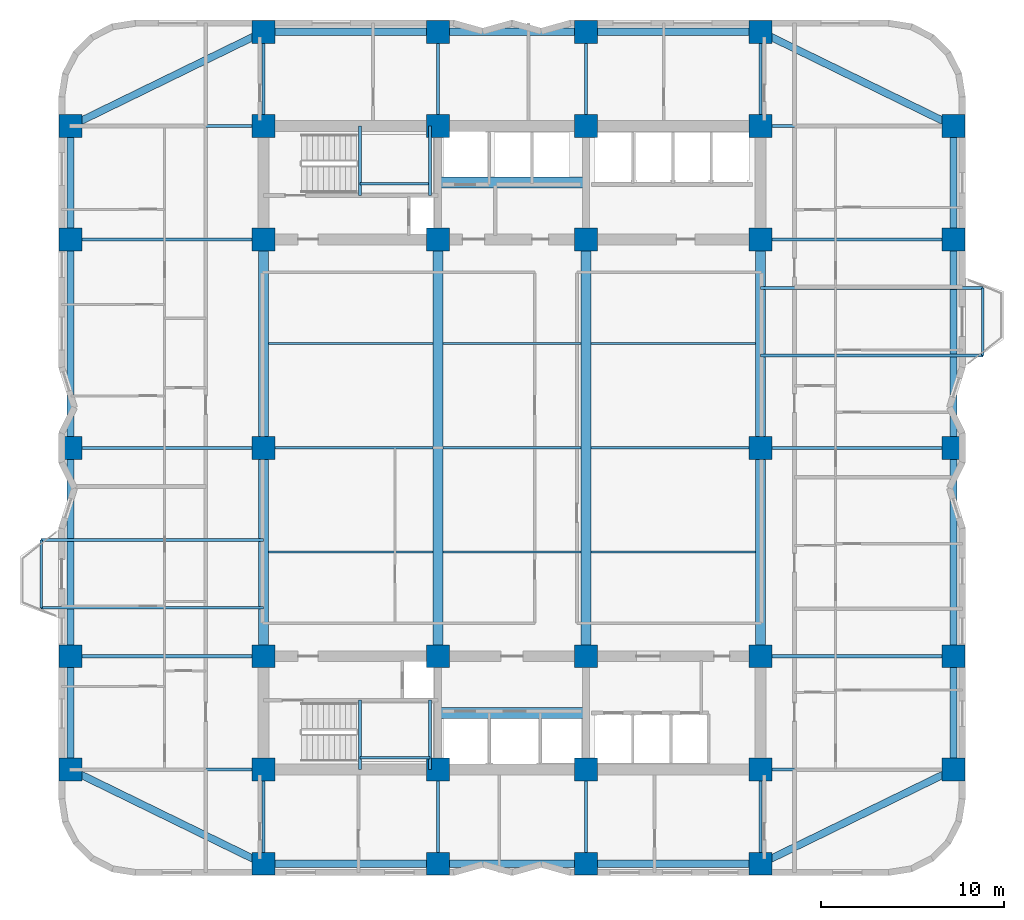
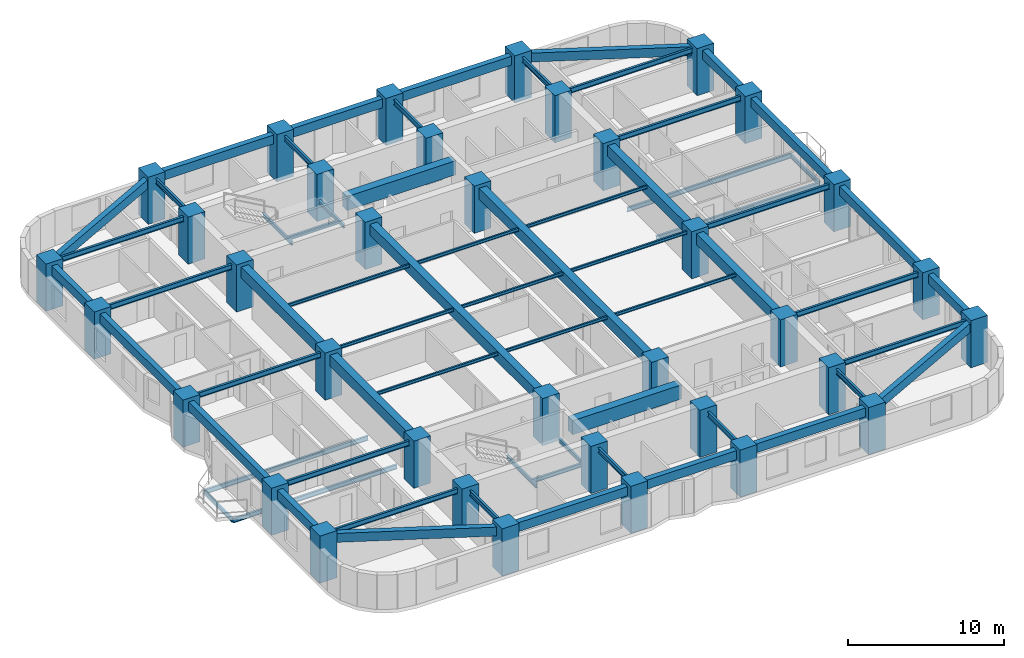
# One storey, part 1 of 9: 65 beams, 36 columns.
"""IFC4 building model written with IfcOpenShell, lengths in metres."""

from ifc_helpers import new_model, si_unit, direction, frame, origin, origin_2d, place, context, subcontext, project, spatial, rectangle, i_section, extrude, material, material_profile, profile_set, type_object, element, save


model = new_model("IFC4")

# Units and contexts
model_context = context("Model", 3, precision=1e-05, world=origin(), true_north=direction((0.0, 1.0)))
body_context = subcontext(model_context, "Body", "Model", "MODEL_VIEW")
ifc_project = project(units=[si_unit("LENGTHUNIT", "METRE"), si_unit("AREAUNIT", "SQUARE_METRE"), si_unit("VOLUMEUNIT", "CUBIC_METRE"), si_unit("PLANEANGLEUNIT", "RADIAN"), si_unit("MASSUNIT", "GRAM", prefix="KILO")], contexts=[model_context])

# Site, building, storey
site_placement = place(None, origin())
site = spatial("IfcSite", under=ifc_project, at=site_placement, CompositionType="ELEMENT")
building_placement = place(site_placement, origin())
building = spatial("IfcBuilding", under=site, at=building_placement, Name="Svetorya Sky Lyceum", CompositionType="ELEMENT")
storey_placement = place(building_placement, frame((0.0, 0.0, 65.800048828125)))
storey = spatial("IfcBuildingStorey", under=building, at=storey_placement, Name="L16", CompositionType="ELEMENT", Elevation=65.800048828125)

# Columns
ifc_material_1 = material(Name="Concrete C60/75", Category="concrete")
ifc_material_profile_1 = material_profile(ifc_material_1, rectangle(XDim=1.25, YDim=1.25, at=origin_2d()), Name="RC COL 1250x1250")
ifc_profile_set_1 = profile_set([ifc_material_profile_1], Name="Concrete C60/75")
column_type = type_object("IfcColumnType", Name="COL-RC-1250", PredefinedType="COLUMN", material=ifc_profile_set_1)
for number, where, z_axis, x_axis, name in (
    (1, (25.60009765625, 10.60009765625, 0.0), (0.0, 0.0, 1.0), (1.0, 0.0, 0.0), "L16 Core Column CS-11"),
    (2, (25.60009765625, 16.800048828125, 0.0), (0.0, 0.0, 1.0), (1.0, 0.0, 0.0), "L16 Core Column CS-12"),
    (3, (35.14990234375, 10.60009765625, 0.0), (0.0, 0.0, 1.0), (1.0, 0.0, 0.0), "L16 Core Column CS-21"),
    (4, (35.14990234375, 16.800048828125, 0.0), (0.0, 0.0, 1.0), (1.0, 0.0, 0.0), "L16 Core Column CS-22"),
    (5, (43.25, 10.60009765625, 0.0), (0.0, 0.0, 1.0), (1.0, 0.0, 0.0), "L16 Core Column CS-31"),
    (6, (43.25, 16.800048828125, 0.0), (0.0, 0.0, 1.0), (1.0, 0.0, 0.0), "L16 Core Column CS-32"),
    (7, (52.800048828125, 10.60009765625, 0.0), (0.0, 0.0, 1.0), (1.0, 0.0, 0.0), "L16 Core Column CS-41"),
    (8, (52.800048828125, 16.800048828125, 0.0), (0.0, 0.0, 1.0), (1.0, 0.0, 0.0), "L16 Core Column CS-42"),
    (9, (25.60009765625, 39.60009765625, 0.0), (0.0, 0.0, 1.0), (1.0, 0.0, 0.0), "L16 Core Column CN-11"),
    (10, (25.60009765625, 45.800048828125, 0.0), (0.0, 0.0, 1.0), (1.0, 0.0, 0.0), "L16 Core Column CN-12"),
    (11, (35.14990234375, 39.60009765625, 0.0), (0.0, 0.0, 1.0), (1.0, 0.0, 0.0), "L16 Core Column CN-21"),
    (12, (35.14990234375, 45.800048828125, 0.0), (0.0, 0.0, 1.0), (1.0, 0.0, 0.0), "L16 Core Column CN-22"),
    (13, (43.25, 39.60009765625, 0.0), (0.0, 0.0, 1.0), (1.0, 0.0, 0.0), "L16 Core Column CN-31"),
    (14, (43.25, 45.800048828125, 0.0), (0.0, 0.0, 1.0), (1.0, 0.0, 0.0), "L16 Core Column CN-32"),
    (15, (52.800048828125, 39.60009765625, 0.0), (0.0, 0.0, 1.0), (1.0, 0.0, 0.0), "L16 Core Column CN-41"),
    (16, (52.800048828125, 45.800048828125, 0.0), (0.0, 0.0, 1.0), (1.0, 0.0, 0.0), "L16 Core Column CN-42"),
    (17, (25.60009765625, 28.199951171875, 0.0), (0.0, 0.0, 1.0), (1.0, 0.0, 0.0), "L16 Core Column CM-W"),
    (18, (52.800048828125, 28.199951171875, 0.0), (0.0, 0.0, 1.0), (1.0, 0.0, 0.0), "L16 Core Column CM-E"),
    (19, (25.60009765625, 5.449951171875, 0.0), (0.0, 0.0, 1.0), (1.0, 0.0, 0.0), "L16 Perimeter Column S1"),
    (20, (25.60009765625, 50.949951171875, 0.0), (0.0, 0.0, 1.0), (1.0, 0.0, 0.0), "L16 Perimeter Column N1"),
    (21, (35.14990234375, 5.449951171875, 0.0), (0.0, 0.0, 1.0), (1.0, 0.0, 0.0), "L16 Perimeter Column S2"),
    (22, (35.14990234375, 50.949951171875, 0.0), (0.0, 0.0, 1.0), (1.0, 0.0, 0.0), "L16 Perimeter Column N2"),
    (23, (43.25, 5.449951171875, 0.0), (0.0, 0.0, 1.0), (1.0, 0.0, 0.0), "L16 Perimeter Column S3"),
    (24, (43.25, 50.949951171875, 0.0), (0.0, 0.0, 1.0), (1.0, 0.0, 0.0), "L16 Perimeter Column N3"),
    (25, (52.800048828125, 5.449951171875, 0.0), (0.0, 0.0, 1.0), (1.0, 0.0, 0.0), "L16 Perimeter Column S4"),
    (26, (52.800048828125, 50.949951171875, 0.0), (0.0, 0.0, 1.0), (1.0, 0.0, 0.0), "L16 Perimeter Column N4"),
    (27, (15.050048828125, 10.60009765625, 0.0), (0.0, 0.0, 1.0), (1.0, 0.0, 0.0), "L16 Perimeter Column W1"),
    (28, (63.35009765625, 10.60009765625, 0.0), (0.0, 0.0, 1.0), (1.0, 0.0, 0.0), "L16 Perimeter Column E1"),
    (29, (15.050048828125, 16.800048828125, 0.0), (0.0, 0.0, 1.0), (1.0, 0.0, 0.0), "L16 Perimeter Column W2"),
    (30, (63.35009765625, 16.800048828125, 0.0), (0.0, 0.0, 1.0), (1.0, 0.0, 0.0), "L16 Perimeter Column E2"),
    (31, (15.050048828125, 28.199951171875, 0.0), (0.0, 0.0, 1.0), (1.0, 0.0, 0.0), "L16 Perimeter Column W3"),
    (32, (63.35009765625, 28.199951171875, 0.0), (0.0, 0.0, 1.0), (1.0, 0.0, 0.0), "L16 Perimeter Column E3"),
    (33, (15.050048828125, 39.60009765625, 0.0), (0.0, 0.0, 1.0), (1.0, 0.0, 0.0), "L16 Perimeter Column W4"),
    (34, (63.35009765625, 39.60009765625, 0.0), (0.0, 0.0, 1.0), (1.0, 0.0, 0.0), "L16 Perimeter Column E4"),
    (35, (15.050048828125, 45.800048828125, 0.0), (0.0, 0.0, 1.0), (1.0, 0.0, 0.0), "L16 Perimeter Column W5"),
    (36, (63.35009765625, 45.800048828125, 0.0), (0.0, 0.0, 1.0), (1.0, 0.0, 0.0), "L16 Perimeter Column E5"),
):
    element("IfcColumn", number, at=place(storey_placement, frame(where, z_axis=z_axis, x_axis=x_axis)), inside=storey, type_object=column_type, Name=name, PredefinedType="COLUMN", context=body_context, shape_type="SweptSolid", body=[
        extrude(rectangle(XDim=1.25, YDim=1.25, at=origin_2d()), origin(), (0.0, 0.0, 1.0), 3.699951171875),
    ])

# Beams
ifc_material_profile_2 = material_profile(ifc_material_1, rectangle(XDim=0.60009765625, YDim=1.10009765625, at=origin_2d()), Name="RC COUPLING 600x1100")
ifc_profile_set_2 = profile_set([ifc_material_profile_2], Name="Concrete C60/75")
beam_type_1 = type_object("IfcBeamType", Name="BM-CPL-1100", PredefinedType="LINTEL", material=ifc_profile_set_2)
for number, where, z_axis, x_axis, name in (
    (37, (35.14990234375, 13.699951171875, 2.869873046875), (1.0, 0.0, 0.0), (0.0, 1.0, 0.0), "L16 SC Core Coupling Beam"),
    (38, (35.14990234375, 42.699951171875, 2.869873046875), (1.0, 0.0, 0.0), (0.0, 1.0, 0.0), "L16 NC Core Coupling Beam"),
):
    element("IfcBeam", number, at=place(storey_placement, frame(where, z_axis=z_axis, x_axis=x_axis)), inside=storey, type_object=beam_type_1, Name=name, PredefinedType="LINTEL", context=body_context, shape_type="SweptSolid", body=[
        extrude(rectangle(XDim=0.60009765625, YDim=1.10009765625, at=origin_2d()), origin(), (0.0, 0.0, 1.0), 8.10009765625),
    ])
ifc_material_2 = material(Name="Concrete C50/60", Category="concrete")
ifc_material_profile_3 = material_profile(ifc_material_2, rectangle(XDim=0.550048828125, YDim=0.85009765625, at=origin_2d()), Name="RC BEAM 550x850")
ifc_profile_set_3 = profile_set([ifc_material_profile_3], Name="Concrete C50/60")
beam_type_2 = type_object("IfcBeamType", Name="BM-RC-850", PredefinedType="BEAM", material=ifc_profile_set_3)
beam_1_placement = place(storey_placement, frame((25.60009765625, 16.800048828125, 2.994873046875), z_axis=(0.0, 1.0, 0.0), x_axis=(-1.0, 0.0, 0.0)))
element("IfcBeam", 39, at=beam_1_placement, inside=storey, type_object=beam_type_2, Name="L16 Central Bay Primary Girder CG-1A", PredefinedType="BEAM", context=body_context, shape_type="SweptSolid", body=[
    extrude(rectangle(XDim=0.550048828125, YDim=0.85009765625, at=origin_2d()), origin(), (0.0, 0.0, 1.0), 11.39990234375),
])
beam_2_placement = place(storey_placement, frame((25.60009765625, 28.199951171875, 2.994873046875), z_axis=(0.0, 1.0, 0.0), x_axis=(-1.0, 0.0, 0.0)))
element("IfcBeam", 40, at=beam_2_placement, inside=storey, type_object=beam_type_2, Name="L16 Central Bay Primary Girder CG-1B", PredefinedType="BEAM", context=body_context, shape_type="SweptSolid", body=[
    extrude(rectangle(XDim=0.550048828125, YDim=0.85009765625, at=origin_2d()), origin(), (0.0, 0.0, 1.0), 11.400146484375),
])
for number, where, z_axis, x_axis, name in (
    (41, (35.14990234375, 16.800048828125, 2.994873046875), (0.0, 1.0, 0.0), (-1.0, 0.0, 0.0), "L16 Central Bay Primary Girder CG-2"),
    (42, (43.25, 16.800048828125, 2.994873046875), (0.0, 1.0, 0.0), (-1.0, 0.0, 0.0), "L16 Central Bay Primary Girder CG-3"),
):
    element("IfcBeam", number, at=place(storey_placement, frame(where, z_axis=z_axis, x_axis=x_axis)), inside=storey, type_object=beam_type_2, Name=name, PredefinedType="BEAM", context=body_context, shape_type="SweptSolid", body=[
        extrude(rectangle(XDim=0.550048828125, YDim=0.85009765625, at=origin_2d()), origin(), (0.0, 0.0, 1.0), 22.800048828125),
    ])
beam_3_placement = place(storey_placement, frame((52.800048828125, 16.800048828125, 2.994873046875), z_axis=(0.0, 1.0, 0.0), x_axis=(-1.0, 0.0, 0.0)))
element("IfcBeam", 43, at=beam_3_placement, inside=storey, type_object=beam_type_2, Name="L16 Central Bay Primary Girder CG-4A", PredefinedType="BEAM", context=body_context, shape_type="SweptSolid", body=[
    extrude(rectangle(XDim=0.550048828125, YDim=0.85009765625, at=origin_2d()), origin(), (0.0, 0.0, 1.0), 11.39990234375),
])
beam_4_placement = place(storey_placement, frame((52.800048828125, 28.199951171875, 2.994873046875), z_axis=(0.0, 1.0, 0.0), x_axis=(-1.0, 0.0, 0.0)))
element("IfcBeam", 44, at=beam_4_placement, inside=storey, type_object=beam_type_2, Name="L16 Central Bay Primary Girder CG-4B", PredefinedType="BEAM", context=body_context, shape_type="SweptSolid", body=[
    extrude(rectangle(XDim=0.550048828125, YDim=0.85009765625, at=origin_2d()), origin(), (0.0, 0.0, 1.0), 11.400146484375),
])
ifc_material_profile_4 = material_profile(ifc_material_2, rectangle(XDim=0.39990234375, YDim=0.699951171875, at=origin_2d()), Name="RC SPANDREL 400x700")
ifc_profile_set_4 = profile_set([ifc_material_profile_4], Name="Concrete C50/60")
beam_type_3 = type_object("IfcBeamType", Name="BM-SPN-700", PredefinedType="SPANDREL", material=ifc_profile_set_4)
beam_5_placement = place(storey_placement, frame((25.60009765625, 5.449951171875, 3.070068359375), z_axis=(1.0, 0.0, 0.0), x_axis=(0.0, 1.0, 0.0)))
element("IfcBeam", 45, at=beam_5_placement, inside=storey, type_object=beam_type_3, Name="L16 South Spandrel 1", PredefinedType="SPANDREL", context=body_context, shape_type="SweptSolid", body=[
    extrude(rectangle(XDim=0.39990234375, YDim=0.699951171875, at=origin_2d()), origin(), (0.0, 0.0, 1.0), 9.5498046875),
])
beam_6_placement = place(storey_placement, frame((35.14990234375, 5.449951171875, 3.070068359375), z_axis=(1.0, 0.0, 0.0), x_axis=(0.0, 1.0, 0.0)))
element("IfcBeam", 46, at=beam_6_placement, inside=storey, type_object=beam_type_3, Name="L16 South Spandrel 2", PredefinedType="SPANDREL", context=body_context, shape_type="SweptSolid", body=[
    extrude(rectangle(XDim=0.39990234375, YDim=0.699951171875, at=origin_2d()), origin(), (0.0, 0.0, 1.0), 8.10009765625),
])
beam_7_placement = place(storey_placement, frame((43.25, 5.449951171875, 3.070068359375), z_axis=(1.0, 0.0, 0.0), x_axis=(0.0, 1.0, 0.0)))
element("IfcBeam", 47, at=beam_7_placement, inside=storey, type_object=beam_type_3, Name="L16 South Spandrel 3", PredefinedType="SPANDREL", context=body_context, shape_type="SweptSolid", body=[
    extrude(rectangle(XDim=0.39990234375, YDim=0.699951171875, at=origin_2d()), origin(), (0.0, 0.0, 1.0), 9.550048828125),
])
beam_8_placement = place(storey_placement, frame((25.60009765625, 50.949951171875, 3.070068359375), z_axis=(1.0, 0.0, 0.0), x_axis=(0.0, 1.0, 0.0)))
element("IfcBeam", 48, at=beam_8_placement, inside=storey, type_object=beam_type_3, Name="L16 North Spandrel 1", PredefinedType="SPANDREL", context=body_context, shape_type="SweptSolid", body=[
    extrude(rectangle(XDim=0.39990234375, YDim=0.699951171875, at=origin_2d()), origin(), (0.0, 0.0, 1.0), 9.5498046875),
])
beam_9_placement = place(storey_placement, frame((35.14990234375, 50.949951171875, 3.070068359375), z_axis=(1.0, 0.0, 0.0), x_axis=(0.0, 1.0, 0.0)))
element("IfcBeam", 49, at=beam_9_placement, inside=storey, type_object=beam_type_3, Name="L16 North Spandrel 2", PredefinedType="SPANDREL", context=body_context, shape_type="SweptSolid", body=[
    extrude(rectangle(XDim=0.39990234375, YDim=0.699951171875, at=origin_2d()), origin(), (0.0, 0.0, 1.0), 8.10009765625),
])
beam_10_placement = place(storey_placement, frame((43.25, 50.949951171875, 3.070068359375), z_axis=(1.0, 0.0, 0.0), x_axis=(0.0, 1.0, 0.0)))
element("IfcBeam", 50, at=beam_10_placement, inside=storey, type_object=beam_type_3, Name="L16 North Spandrel 3", PredefinedType="SPANDREL", context=body_context, shape_type="SweptSolid", body=[
    extrude(rectangle(XDim=0.39990234375, YDim=0.699951171875, at=origin_2d()), origin(), (0.0, 0.0, 1.0), 9.550048828125),
])
for number, where, z_axis, x_axis, name in (
    (51, (25.60009765625, 5.449951171875, 3.070068359375), (-0.898641495694, 0.438683783854, 0.0), (-0.438683783854, -0.898641495694, 0.0), "L16 Corner Spandrel 1"),
    (52, (52.800048828125, 5.449951171875, 3.070068359375), (0.898641495694, 0.438683783854, 0.0), (-0.438683783854, 0.898641495694, 0.0), "L16 Corner Spandrel 2"),
    (53, (63.35009765625, 45.800048828125, 3.070068359375), (-0.898649693653, 0.438666989978, 0.0), (-0.438666989978, -0.898649693653, 0.0), "L16 Corner Spandrel 3"),
    (54, (15.050048828125, 45.800048828125, 3.070068359375), (0.898649693653, 0.438666989978, 0.0), (-0.438666989978, 0.898649693653, 0.0), "L16 Corner Spandrel 4"),
):
    element("IfcBeam", number, at=place(storey_placement, frame(where, z_axis=z_axis, x_axis=x_axis)), inside=storey, type_object=beam_type_3, Name=name, PredefinedType="SPANDREL", context=body_context, shape_type="SweptSolid", body=[
        extrude(rectangle(XDim=0.39990234375, YDim=0.699951171875, at=origin_2d()), origin(), (0.0, 0.0, 1.0), 11.739990234375),
    ])
beam_11_placement = place(storey_placement, frame((15.050048828125, 10.60009765625, 3.070068359375), z_axis=(0.0, 1.0, 0.0), x_axis=(-1.0, 0.0, 0.0)))
element("IfcBeam", 55, at=beam_11_placement, inside=storey, type_object=beam_type_3, Name="L16 West Spandrel 1", PredefinedType="SPANDREL", context=body_context, shape_type="SweptSolid", body=[
    extrude(rectangle(XDim=0.39990234375, YDim=0.699951171875, at=origin_2d()), origin(), (0.0, 0.0, 1.0), 6.199951171875),
])
beam_12_placement = place(storey_placement, frame((15.050048828125, 16.800048828125, 3.070068359375), z_axis=(0.0, 1.0, 0.0), x_axis=(-1.0, 0.0, 0.0)))
element("IfcBeam", 56, at=beam_12_placement, inside=storey, type_object=beam_type_3, Name="L16 West Spandrel 2", PredefinedType="SPANDREL", context=body_context, shape_type="SweptSolid", body=[
    extrude(rectangle(XDim=0.39990234375, YDim=0.699951171875, at=origin_2d()), origin(), (0.0, 0.0, 1.0), 11.39990234375),
])
beam_13_placement = place(storey_placement, frame((15.050048828125, 28.199951171875, 3.070068359375), z_axis=(0.0, 1.0, 0.0), x_axis=(-1.0, 0.0, 0.0)))
element("IfcBeam", 57, at=beam_13_placement, inside=storey, type_object=beam_type_3, Name="L16 West Spandrel 3", PredefinedType="SPANDREL", context=body_context, shape_type="SweptSolid", body=[
    extrude(rectangle(XDim=0.39990234375, YDim=0.699951171875, at=origin_2d()), origin(), (0.0, 0.0, 1.0), 11.400146484375),
])
for number, where, z_axis, x_axis, name in (
    (58, (15.050048828125, 39.60009765625, 3.070068359375), (0.0, 1.0, 0.0), (-1.0, 0.0, 0.0), "L16 West Spandrel 4"),
    (59, (63.35009765625, 10.60009765625, 3.070068359375), (0.0, 1.0, 0.0), (-1.0, 0.0, 0.0), "L16 East Spandrel 1"),
):
    element("IfcBeam", number, at=place(storey_placement, frame(where, z_axis=z_axis, x_axis=x_axis)), inside=storey, type_object=beam_type_3, Name=name, PredefinedType="SPANDREL", context=body_context, shape_type="SweptSolid", body=[
        extrude(rectangle(XDim=0.39990234375, YDim=0.699951171875, at=origin_2d()), origin(), (0.0, 0.0, 1.0), 6.199951171875),
    ])
beam_14_placement = place(storey_placement, frame((63.35009765625, 16.800048828125, 3.070068359375), z_axis=(0.0, 1.0, 0.0), x_axis=(-1.0, 0.0, 0.0)))
element("IfcBeam", 60, at=beam_14_placement, inside=storey, type_object=beam_type_3, Name="L16 East Spandrel 2", PredefinedType="SPANDREL", context=body_context, shape_type="SweptSolid", body=[
    extrude(rectangle(XDim=0.39990234375, YDim=0.699951171875, at=origin_2d()), origin(), (0.0, 0.0, 1.0), 11.39990234375),
])
beam_15_placement = place(storey_placement, frame((63.35009765625, 28.199951171875, 3.070068359375), z_axis=(0.0, 1.0, 0.0), x_axis=(-1.0, 0.0, 0.0)))
element("IfcBeam", 61, at=beam_15_placement, inside=storey, type_object=beam_type_3, Name="L16 East Spandrel 3", PredefinedType="SPANDREL", context=body_context, shape_type="SweptSolid", body=[
    extrude(rectangle(XDim=0.39990234375, YDim=0.699951171875, at=origin_2d()), origin(), (0.0, 0.0, 1.0), 11.400146484375),
])
beam_16_placement = place(storey_placement, frame((63.35009765625, 39.60009765625, 3.070068359375), z_axis=(0.0, 1.0, 0.0), x_axis=(-1.0, 0.0, 0.0)))
element("IfcBeam", 62, at=beam_16_placement, inside=storey, type_object=beam_type_3, Name="L16 East Spandrel 4", PredefinedType="SPANDREL", context=body_context, shape_type="SweptSolid", body=[
    extrude(rectangle(XDim=0.39990234375, YDim=0.699951171875, at=origin_2d()), origin(), (0.0, 0.0, 1.0), 6.199951171875),
])
ifc_material_3 = material(Name="Steel S355", Category="steel")
ifc_material_profile_5 = material_profile(ifc_material_3, i_section(OverallWidth=0.1240234375, OverallDepth=0.248046875, WebThickness=0.006103515625, FlangeThickness=0.009521484375, at=origin_2d()), Name="GOST 25B2")
ifc_profile_set_5 = profile_set([ifc_material_profile_5], Name="Steel S355")
beam_type_4 = type_object("IfcBeamType", Name="BM-STL-25B2", PredefinedType="JOIST", material=ifc_profile_set_5)
beam_17_placement = place(storey_placement, frame((25.875, 22.5, 3.2958984375), z_axis=(1.0, 0.0, 0.0), x_axis=(0.0, 1.0, 0.0)))
element("IfcBeam", 63, at=beam_17_placement, inside=storey, type_object=beam_type_4, Name="L16 Central Floor Joist CJ-1.1", PredefinedType="JOIST", context=body_context, shape_type="SweptSolid", body=[
    extrude(i_section(OverallWidth=0.1240234375, OverallDepth=0.248046875, WebThickness=0.006103515625, FlangeThickness=0.009521484375, at=origin_2d()), origin(), (0.0, 0.0, 1.0), 9.0),
])
beam_18_placement = place(storey_placement, frame((35.425048828125, 22.5, 3.2958984375), z_axis=(1.0, 0.0, 0.0), x_axis=(0.0, 1.0, 0.0)))
element("IfcBeam", 64, at=beam_18_placement, inside=storey, type_object=beam_type_4, Name="L16 Central Floor Joist CJ-1.2", PredefinedType="JOIST", context=body_context, shape_type="SweptSolid", body=[
    extrude(i_section(OverallWidth=0.1240234375, OverallDepth=0.248046875, WebThickness=0.006103515625, FlangeThickness=0.009521484375, at=origin_2d()), origin(), (0.0, 0.0, 1.0), 7.550048828125),
])
for number, where, z_axis, x_axis, name in (
    (65, (43.52490234375, 22.5, 3.2958984375), (1.0, 0.0, 0.0), (0.0, 1.0, 0.0), "L16 Central Floor Joist CJ-1.3"),
    (66, (25.875, 28.199951171875, 3.2958984375), (1.0, 0.0, 0.0), (0.0, 1.0, 0.0), "L16 Central Floor Joist CJ-2.1"),
):
    element("IfcBeam", number, at=place(storey_placement, frame(where, z_axis=z_axis, x_axis=x_axis)), inside=storey, type_object=beam_type_4, Name=name, PredefinedType="JOIST", context=body_context, shape_type="SweptSolid", body=[
        extrude(i_section(OverallWidth=0.1240234375, OverallDepth=0.248046875, WebThickness=0.006103515625, FlangeThickness=0.009521484375, at=origin_2d()), origin(), (0.0, 0.0, 1.0), 9.0),
    ])
beam_19_placement = place(storey_placement, frame((35.425048828125, 28.199951171875, 3.2958984375), z_axis=(1.0, 0.0, 0.0), x_axis=(0.0, 1.0, 0.0)))
element("IfcBeam", 67, at=beam_19_placement, inside=storey, type_object=beam_type_4, Name="L16 Central Floor Joist CJ-2.2", PredefinedType="JOIST", context=body_context, shape_type="SweptSolid", body=[
    extrude(i_section(OverallWidth=0.1240234375, OverallDepth=0.248046875, WebThickness=0.006103515625, FlangeThickness=0.009521484375, at=origin_2d()), origin(), (0.0, 0.0, 1.0), 7.550048828125),
])
for number, where, z_axis, x_axis, name in (
    (68, (43.52490234375, 28.199951171875, 3.2958984375), (1.0, 0.0, 0.0), (0.0, 1.0, 0.0), "L16 Central Floor Joist CJ-2.3"),
    (69, (25.875, 33.89990234375, 3.2958984375), (1.0, 0.0, 0.0), (0.0, 1.0, 0.0), "L16 Central Floor Joist CJ-3.1"),
):
    element("IfcBeam", number, at=place(storey_placement, frame(where, z_axis=z_axis, x_axis=x_axis)), inside=storey, type_object=beam_type_4, Name=name, PredefinedType="JOIST", context=body_context, shape_type="SweptSolid", body=[
        extrude(i_section(OverallWidth=0.1240234375, OverallDepth=0.248046875, WebThickness=0.006103515625, FlangeThickness=0.009521484375, at=origin_2d()), origin(), (0.0, 0.0, 1.0), 9.0),
    ])
beam_20_placement = place(storey_placement, frame((35.425048828125, 33.89990234375, 3.2958984375), z_axis=(1.0, 0.0, 0.0), x_axis=(0.0, 1.0, 0.0)))
element("IfcBeam", 70, at=beam_20_placement, inside=storey, type_object=beam_type_4, Name="L16 Central Floor Joist CJ-3.2", PredefinedType="JOIST", context=body_context, shape_type="SweptSolid", body=[
    extrude(i_section(OverallWidth=0.1240234375, OverallDepth=0.248046875, WebThickness=0.006103515625, FlangeThickness=0.009521484375, at=origin_2d()), origin(), (0.0, 0.0, 1.0), 7.550048828125),
])
beam_21_placement = place(storey_placement, frame((43.52490234375, 33.89990234375, 3.2958984375), z_axis=(1.0, 0.0, 0.0), x_axis=(0.0, 1.0, 0.0)))
element("IfcBeam", 71, at=beam_21_placement, inside=storey, type_object=beam_type_4, Name="L16 Central Floor Joist CJ-3.3", PredefinedType="JOIST", context=body_context, shape_type="SweptSolid", body=[
    extrude(i_section(OverallWidth=0.1240234375, OverallDepth=0.248046875, WebThickness=0.006103515625, FlangeThickness=0.009521484375, at=origin_2d()), origin(), (0.0, 0.0, 1.0), 9.0),
])
ifc_material_profile_6 = material_profile(ifc_material_3, i_section(OverallWidth=0.14990234375, OverallDepth=0.299072265625, WebThickness=0.006591796875, FlangeThickness=0.010498046875, at=origin_2d()), Name="GOST 30B2")
ifc_profile_set_6 = profile_set([ifc_material_profile_6], Name="Steel S355")
beam_type_5 = type_object("IfcBeamType", Name="BM-STL-30B2", PredefinedType="JOIST", material=ifc_profile_set_6)
for number, where, z_axis, x_axis, name in (
    (72, (13.449951171875, 19.449951171875, -0.45458984375), (0.0, 1.0, 0.0), (-1.0, 0.0, 0.0), "L16 Balcony Edge Tie BAL-W1"),
    (73, (64.949951171875, 33.25, -0.45458984375), (0.0, 1.0, 0.0), (-1.0, 0.0, 0.0), "L16 Balcony Edge Tie BAL-E1"),
):
    element("IfcBeam", number, at=place(storey_placement, frame(where, z_axis=z_axis, x_axis=x_axis)), inside=storey, type_object=beam_type_5, Name=name, PredefinedType="JOIST", context=body_context, shape_type="SweptSolid", body=[
        extrude(i_section(OverallWidth=0.14990234375, OverallDepth=0.299072265625, WebThickness=0.006591796875, FlangeThickness=0.010498046875, at=origin_2d()), origin(), (0.0, 0.0, 1.0), 3.699951171875),
    ])
for number, where, z_axis, x_axis, name in (
    (74, (30.8798828125, 10.60009765625, 1.50048828125), (0.0, 1.0, 0.0), (-1.0, 0.0, 0.0), "L16 Stair ST-S Half-Landing Support Beam 18.1"),
    (75, (34.719970703125, 10.60009765625, 1.50048828125), (0.0, 1.0, 0.0), (-1.0, 0.0, 0.0), "L16 Stair ST-S Half-Landing Support Beam 18.2"),
):
    element("IfcBeam", number, at=place(storey_placement, frame(where, z_axis=z_axis, x_axis=x_axis)), inside=storey, type_object=beam_type_5, Name=name, PredefinedType="JOIST", context=body_context, shape_type="SweptSolid", body=[
        extrude(i_section(OverallWidth=0.14990234375, OverallDepth=0.299072265625, WebThickness=0.006591796875, FlangeThickness=0.010498046875, at=origin_2d()), origin(), (0.0, 0.0, 1.0), 3.7998046875),
    ])
beam_22_placement = place(storey_placement, frame((30.8798828125, 11.25, 1.50048828125), z_axis=(1.0, 0.0, 0.0), x_axis=(0.0, 1.0, 0.0)))
element("IfcBeam", 76, at=beam_22_placement, inside=storey, type_object=beam_type_5, Name="L16 Stair ST-S Half-Landing Cross Tie 18", PredefinedType="JOIST", context=body_context, shape_type="SweptSolid", body=[
    extrude(i_section(OverallWidth=0.14990234375, OverallDepth=0.299072265625, WebThickness=0.006591796875, FlangeThickness=0.010498046875, at=origin_2d()), origin(), (0.0, 0.0, 1.0), 3.840087890625),
])
for number, where, z_axis, x_axis, name in (
    (77, (30.8798828125, 42.0, 1.50048828125), (0.0, 1.0, 0.0), (-1.0, 0.0, 0.0), "L16 Stair ST-N Half-Landing Support Beam 18.1"),
    (78, (34.719970703125, 42.0, 1.50048828125), (0.0, 1.0, 0.0), (-1.0, 0.0, 0.0), "L16 Stair ST-N Half-Landing Support Beam 18.2"),
):
    element("IfcBeam", number, at=place(storey_placement, frame(where, z_axis=z_axis, x_axis=x_axis)), inside=storey, type_object=beam_type_5, Name=name, PredefinedType="JOIST", context=body_context, shape_type="SweptSolid", body=[
        extrude(i_section(OverallWidth=0.14990234375, OverallDepth=0.299072265625, WebThickness=0.006591796875, FlangeThickness=0.010498046875, at=origin_2d()), origin(), (0.0, 0.0, 1.0), 3.800048828125),
    ])
beam_23_placement = place(storey_placement, frame((30.8798828125, 42.64990234375, 1.50048828125), z_axis=(1.0, 0.0, 0.0), x_axis=(0.0, 1.0, 0.0)))
element("IfcBeam", 79, at=beam_23_placement, inside=storey, type_object=beam_type_5, Name="L16 Stair ST-N Half-Landing Cross Tie 18", PredefinedType="JOIST", context=body_context, shape_type="SweptSolid", body=[
    extrude(i_section(OverallWidth=0.14990234375, OverallDepth=0.299072265625, WebThickness=0.006591796875, FlangeThickness=0.010498046875, at=origin_2d()), origin(), (0.0, 0.0, 1.0), 3.840087890625),
])
ifc_material_profile_7 = material_profile(ifc_material_3, i_section(OverallWidth=0.155029296875, OverallDepth=0.34912109375, WebThickness=0.007080078125, FlangeThickness=0.011474609375, at=origin_2d()), Name="GOST 35B2")
ifc_profile_set_7 = profile_set([ifc_material_profile_7], Name="Steel S355")
beam_type_6 = type_object("IfcBeamType", Name="BM-STL-35B2", PredefinedType="JOIST", material=ifc_profile_set_7)
for number, where, z_axis, x_axis, name in (
    (80, (25.60009765625, 19.449951171875, -0.45458984375), (-1.0, 0.0, 0.0), (0.0, -1.0, 0.0), "L16 Balcony Cantilever Beam BAL-W1-1"),
    (81, (25.60009765625, 23.14990234375, -0.45458984375), (-1.0, 0.0, 0.0), (0.0, -1.0, 0.0), "L16 Balcony Cantilever Beam BAL-W1-2"),
):
    element("IfcBeam", number, at=place(storey_placement, frame(where, z_axis=z_axis, x_axis=x_axis)), inside=storey, type_object=beam_type_6, Name=name, PredefinedType="JOIST", context=body_context, shape_type="SweptSolid", body=[
        extrude(i_section(OverallWidth=0.155029296875, OverallDepth=0.34912109375, WebThickness=0.007080078125, FlangeThickness=0.011474609375, at=origin_2d()), origin(), (0.0, 0.0, 1.0), 12.150146484375),
    ])
for number, where, z_axis, x_axis, name in (
    (82, (52.800048828125, 33.25, -0.45458984375), (1.0, 0.0, 0.0), (0.0, 1.0, 0.0), "L16 Balcony Cantilever Beam BAL-E1-1"),
    (83, (52.800048828125, 36.949951171875, -0.45458984375), (1.0, 0.0, 0.0), (0.0, 1.0, 0.0), "L16 Balcony Cantilever Beam BAL-E1-2"),
):
    element("IfcBeam", number, at=place(storey_placement, frame(where, z_axis=z_axis, x_axis=x_axis)), inside=storey, type_object=beam_type_6, Name=name, PredefinedType="JOIST", context=body_context, shape_type="SweptSolid", body=[
        extrude(i_section(OverallWidth=0.155029296875, OverallDepth=0.34912109375, WebThickness=0.007080078125, FlangeThickness=0.011474609375, at=origin_2d()), origin(), (0.0, 0.0, 1.0), 12.14990234375),
    ])
ifc_material_profile_8 = material_profile(ifc_material_3, i_section(OverallWidth=0.1650390625, OverallDepth=0.39990234375, WebThickness=0.008056640625, FlangeThickness=0.012939453125, at=origin_2d()), Name="GOST 40B2")
ifc_profile_set_8 = profile_set([ifc_material_profile_8], Name="Steel S355")
beam_type_7 = type_object("IfcBeamType", Name="BM-STL-40B2", PredefinedType="JOIST", material=ifc_profile_set_8)
for number, where, z_axis, x_axis, name in (
    (84, (15.050048828125, 10.60009765625, 3.219970703125), (1.0, 0.0, 0.0), (0.0, 1.0, 0.0), "L16 West Wing Floor Joist W1"),
    (85, (52.800048828125, 10.60009765625, 3.219970703125), (1.0, 0.0, 0.0), (0.0, 1.0, 0.0), "L16 East Wing Floor Joist E1"),
    (86, (15.050048828125, 16.800048828125, 3.219970703125), (1.0, 0.0, 0.0), (0.0, 1.0, 0.0), "L16 West Wing Floor Joist W2"),
    (87, (52.800048828125, 16.800048828125, 3.219970703125), (1.0, 0.0, 0.0), (0.0, 1.0, 0.0), "L16 East Wing Floor Joist E2"),
    (88, (15.050048828125, 28.199951171875, 3.219970703125), (1.0, 0.0, 0.0), (0.0, 1.0, 0.0), "L16 West Wing Floor Joist W3"),
    (89, (52.800048828125, 28.199951171875, 3.219970703125), (1.0, 0.0, 0.0), (0.0, 1.0, 0.0), "L16 East Wing Floor Joist E3"),
    (90, (15.050048828125, 39.60009765625, 3.219970703125), (1.0, 0.0, 0.0), (0.0, 1.0, 0.0), "L16 West Wing Floor Joist W4"),
    (91, (52.800048828125, 39.60009765625, 3.219970703125), (1.0, 0.0, 0.0), (0.0, 1.0, 0.0), "L16 East Wing Floor Joist E4"),
    (92, (15.050048828125, 45.800048828125, 3.219970703125), (1.0, 0.0, 0.0), (0.0, 1.0, 0.0), "L16 West Wing Floor Joist W5"),
    (93, (52.800048828125, 45.800048828125, 3.219970703125), (1.0, 0.0, 0.0), (0.0, 1.0, 0.0), "L16 East Wing Floor Joist E5"),
):
    element("IfcBeam", number, at=place(storey_placement, frame(where, z_axis=z_axis, x_axis=x_axis)), inside=storey, type_object=beam_type_7, Name=name, PredefinedType="JOIST", context=body_context, shape_type="SweptSolid", body=[
        extrude(i_section(OverallWidth=0.1650390625, OverallDepth=0.39990234375, WebThickness=0.008056640625, FlangeThickness=0.012939453125, at=origin_2d()), origin(), (0.0, 0.0, 1.0), 10.550048828125),
    ])
beam_24_placement = place(storey_placement, frame((25.60009765625, 5.449951171875, 3.219970703125), z_axis=(0.0, 1.0, 0.0), x_axis=(-1.0, 0.0, 0.0)))
element("IfcBeam", 94, at=beam_24_placement, inside=storey, type_object=beam_type_7, Name="L16 South Bay Floor Girder S1", PredefinedType="JOIST", context=body_context, shape_type="SweptSolid", body=[
    extrude(i_section(OverallWidth=0.1650390625, OverallDepth=0.39990234375, WebThickness=0.008056640625, FlangeThickness=0.012939453125, at=origin_2d()), origin(), (0.0, 0.0, 1.0), 5.150146484375),
])
beam_25_placement = place(storey_placement, frame((25.60009765625, 45.800048828125, 3.219970703125), z_axis=(0.0, 1.0, 0.0), x_axis=(-1.0, 0.0, 0.0)))
element("IfcBeam", 95, at=beam_25_placement, inside=storey, type_object=beam_type_7, Name="L16 North Bay Floor Girder N1", PredefinedType="JOIST", context=body_context, shape_type="SweptSolid", body=[
    extrude(i_section(OverallWidth=0.1650390625, OverallDepth=0.39990234375, WebThickness=0.008056640625, FlangeThickness=0.012939453125, at=origin_2d()), origin(), (0.0, 0.0, 1.0), 5.14990234375),
])
beam_26_placement = place(storey_placement, frame((35.14990234375, 5.449951171875, 3.219970703125), z_axis=(0.0, 1.0, 0.0), x_axis=(-1.0, 0.0, 0.0)))
element("IfcBeam", 96, at=beam_26_placement, inside=storey, type_object=beam_type_7, Name="L16 South Bay Floor Girder S2", PredefinedType="JOIST", context=body_context, shape_type="SweptSolid", body=[
    extrude(i_section(OverallWidth=0.1650390625, OverallDepth=0.39990234375, WebThickness=0.008056640625, FlangeThickness=0.012939453125, at=origin_2d()), origin(), (0.0, 0.0, 1.0), 5.150146484375),
])
beam_27_placement = place(storey_placement, frame((35.14990234375, 45.800048828125, 3.219970703125), z_axis=(0.0, 1.0, 0.0), x_axis=(-1.0, 0.0, 0.0)))
element("IfcBeam", 97, at=beam_27_placement, inside=storey, type_object=beam_type_7, Name="L16 North Bay Floor Girder N2", PredefinedType="JOIST", context=body_context, shape_type="SweptSolid", body=[
    extrude(i_section(OverallWidth=0.1650390625, OverallDepth=0.39990234375, WebThickness=0.008056640625, FlangeThickness=0.012939453125, at=origin_2d()), origin(), (0.0, 0.0, 1.0), 5.14990234375),
])
beam_28_placement = place(storey_placement, frame((43.25, 5.449951171875, 3.219970703125), z_axis=(0.0, 1.0, 0.0), x_axis=(-1.0, 0.0, 0.0)))
element("IfcBeam", 98, at=beam_28_placement, inside=storey, type_object=beam_type_7, Name="L16 South Bay Floor Girder S3", PredefinedType="JOIST", context=body_context, shape_type="SweptSolid", body=[
    extrude(i_section(OverallWidth=0.1650390625, OverallDepth=0.39990234375, WebThickness=0.008056640625, FlangeThickness=0.012939453125, at=origin_2d()), origin(), (0.0, 0.0, 1.0), 5.150146484375),
])
beam_29_placement = place(storey_placement, frame((43.25, 45.800048828125, 3.219970703125), z_axis=(0.0, 1.0, 0.0), x_axis=(-1.0, 0.0, 0.0)))
element("IfcBeam", 99, at=beam_29_placement, inside=storey, type_object=beam_type_7, Name="L16 North Bay Floor Girder N3", PredefinedType="JOIST", context=body_context, shape_type="SweptSolid", body=[
    extrude(i_section(OverallWidth=0.1650390625, OverallDepth=0.39990234375, WebThickness=0.008056640625, FlangeThickness=0.012939453125, at=origin_2d()), origin(), (0.0, 0.0, 1.0), 5.14990234375),
])
beam_30_placement = place(storey_placement, frame((52.800048828125, 5.449951171875, 3.219970703125), z_axis=(0.0, 1.0, 0.0), x_axis=(-1.0, 0.0, 0.0)))
element("IfcBeam", 100, at=beam_30_placement, inside=storey, type_object=beam_type_7, Name="L16 South Bay Floor Girder S4", PredefinedType="JOIST", context=body_context, shape_type="SweptSolid", body=[
    extrude(i_section(OverallWidth=0.1650390625, OverallDepth=0.39990234375, WebThickness=0.008056640625, FlangeThickness=0.012939453125, at=origin_2d()), origin(), (0.0, 0.0, 1.0), 5.150146484375),
])
beam_31_placement = place(storey_placement, frame((52.800048828125, 45.800048828125, 3.219970703125), z_axis=(0.0, 1.0, 0.0), x_axis=(-1.0, 0.0, 0.0)))
element("IfcBeam", 101, at=beam_31_placement, inside=storey, type_object=beam_type_7, Name="L16 North Bay Floor Girder N4", PredefinedType="JOIST", context=body_context, shape_type="SweptSolid", body=[
    extrude(i_section(OverallWidth=0.1650390625, OverallDepth=0.39990234375, WebThickness=0.008056640625, FlangeThickness=0.012939453125, at=origin_2d()), origin(), (0.0, 0.0, 1.0), 5.14990234375),
])

save(model, "model.ifc")
